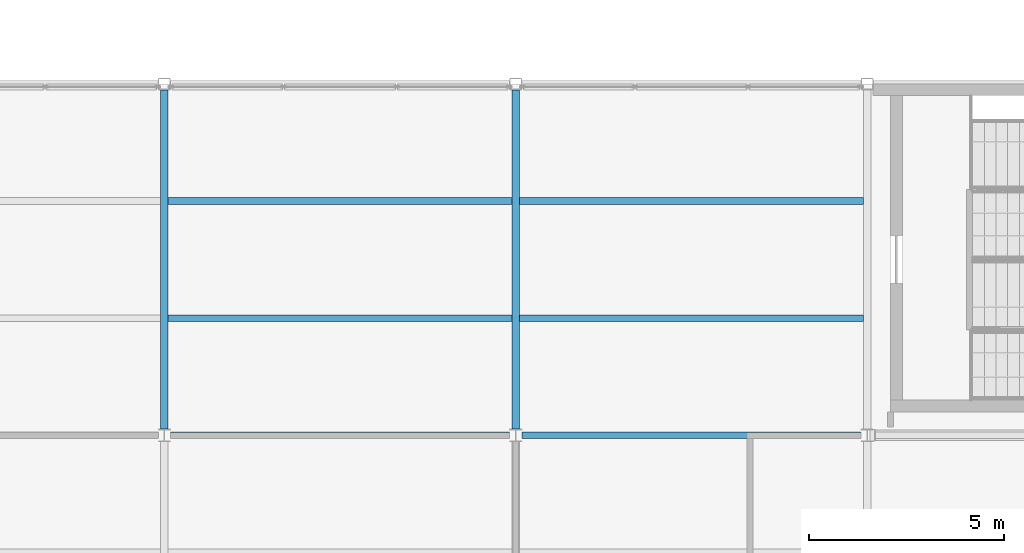
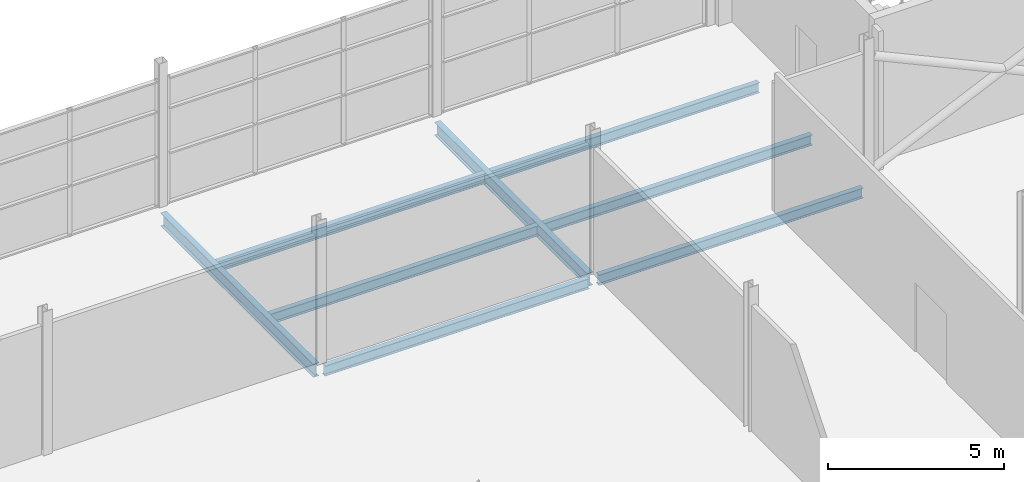
# One storey, part 62 of 112: 8 beams.
"""IFC4 building model written with IfcOpenShell, lengths in metres."""

from ifc_helpers import new_model, si_unit, direction, frame, origin, origin_2d, place, context, subcontext, project, spatial, i_section, extrude, material, material_profile, profile_set, type_object, element, save


model = new_model("IFC4")

# Units and contexts
model_context = context("Model", 3, precision=1e-05, world=origin(), true_north=direction((0.0, 1.0)))
body_context = subcontext(model_context, "Body", "Model", "MODEL_VIEW")
ifc_project = project(units=[si_unit("LENGTHUNIT", "METRE"), si_unit("AREAUNIT", "SQUARE_METRE"), si_unit("VOLUMEUNIT", "CUBIC_METRE"), si_unit("PLANEANGLEUNIT", "RADIAN"), si_unit("MASSUNIT", "GRAM", prefix="KILO")], contexts=[model_context])

# Site, building, storey
site_placement = place(None, origin())
site = spatial("IfcSite", under=ifc_project, at=site_placement, CompositionType="ELEMENT")
building_placement = place(site_placement, origin())
building = spatial("IfcBuilding", under=site, at=building_placement, Name="Shorebreak Coast Museum", CompositionType="ELEMENT")
storey_placement = place(building_placement, frame((0.0, 0.0, 6.0)))
storey = spatial("IfcBuildingStorey", under=building, at=storey_placement, Name="L01", CompositionType="ELEMENT", Elevation=6.0)

# Beams
ifc_material_1 = material(Name="Steel Grade 300", Category="steel")
ifc_material_profile_1 = material_profile(ifc_material_1, i_section(OverallWidth=0.1708984375, OverallDepth=0.355712890625, WebThickness=0.00732421875, FlangeThickness=0.011474609375, FilletRadius=0.011474609375, at=origin_2d()), Name="360UB50.7")
ifc_profile_set_1 = profile_set([ifc_material_profile_1], Name="Steel Grade 300")
beam_type_1 = type_object("IfcBeamType", Name="Floor girder east-west 360UB50.7", PredefinedType="BEAM", material=ifc_profile_set_1)
for number, where, z_axis, x_axis, name in (
    (1, (144.154541015625, 81.0, -0.352783203125), (1.0, 0.0, 0.0), (0.0, 1.0, 0.0), "Floor girder east-west L01 17K"),
    (2, (153.154541015625, 81.0, -0.352783203125), (1.0, 0.0, 0.0), (0.0, 1.0, 0.0), "Floor girder east-west L01 18K"),
):
    element("IfcBeam", number, at=place(storey_placement, frame(where, z_axis=z_axis, x_axis=x_axis)), inside=storey, type_object=beam_type_1, Name=name, PredefinedType="BEAM", context=body_context, shape_type="SweptSolid", body=[
        extrude(i_section(OverallWidth=0.1708984375, OverallDepth=0.355712890625, WebThickness=0.00732421875, FlangeThickness=0.011474609375, FilletRadius=0.011474609375, at=origin_2d()), origin(), (0.0, 0.0, 1.0), 8.69091796875),
    ])
ifc_material_2 = material(Name="Steel Grade 300", Category="steel")
ifc_material_profile_2 = material_profile(ifc_material_2, i_section(OverallWidth=0.19091796875, OverallDepth=0.46044921875, WebThickness=0.010009765625, FlangeThickness=0.01611328125, FilletRadius=0.011474609375, at=origin_2d()), Name="460UB82.1")
ifc_profile_set_2 = profile_set([ifc_material_profile_2], Name="Steel Grade 300")
beam_type_2 = type_object("IfcBeamType", Name="Floor girder north-south 460UB82.1", PredefinedType="BEAM", material=ifc_profile_set_2)
for number, where, z_axis, x_axis, name in (
    (3, (144.0, 81.160400390625, -0.4052734375), (0.0, 1.0, 0.0), (-1.0, 0.0, 0.0), "Floor girder north-south L01 17K"),
    (4, (153.0, 81.160400390625, -0.4052734375), (0.0, 1.0, 0.0), (-1.0, 0.0, 0.0), "Floor girder north-south L01 18K"),
):
    element("IfcBeam", number, at=place(storey_placement, frame(where, z_axis=z_axis, x_axis=x_axis)), inside=storey, type_object=beam_type_2, Name=name, PredefinedType="BEAM", context=body_context, shape_type="SweptSolid", body=[
        extrude(i_section(OverallWidth=0.19091796875, OverallDepth=0.46044921875, WebThickness=0.010009765625, FlangeThickness=0.01611328125, FilletRadius=0.011474609375, at=origin_2d()), origin(), (0.0, 0.0, 1.0), 8.689697265625),
    ])
ifc_material_3 = material(Name="Steel Grade 300", Category="steel")
ifc_material_profile_3 = material_profile(ifc_material_3, i_section(OverallWidth=0.1708984375, OverallDepth=0.355712890625, WebThickness=0.00732421875, FlangeThickness=0.011474609375, FilletRadius=0.011474609375, at=origin_2d()), Name="360UB50.7")
ifc_profile_set_3 = profile_set([ifc_material_profile_3], Name="Steel Grade 300")
beam_type_3 = type_object("IfcBeamType", Name="Floor joist 360UB50.7", PredefinedType="JOIST", material=ifc_profile_set_3)
for number, where, z_axis, x_axis, name in (
    (5, (144.095458984375, 84.0, -0.352783203125), (1.0, 0.0, 0.0), (0.0, 1.0, 0.0), "Floor joist L01 bay 17K at 3000 mm"),
    (6, (144.095458984375, 87.0, -0.352783203125), (1.0, 0.0, 0.0), (0.0, 1.0, 0.0), "Floor joist L01 bay 17K at 6000 mm"),
    (7, (153.095458984375, 84.0, -0.352783203125), (1.0, 0.0, 0.0), (0.0, 1.0, 0.0), "Floor joist L01 bay 18K at 3000 mm"),
    (8, (153.095458984375, 87.0, -0.352783203125), (1.0, 0.0, 0.0), (0.0, 1.0, 0.0), "Floor joist L01 bay 18K at 6000 mm"),
):
    element("IfcBeam", number, at=place(storey_placement, frame(where, z_axis=z_axis, x_axis=x_axis)), inside=storey, type_object=beam_type_3, Name=name, PredefinedType="JOIST", context=body_context, shape_type="SweptSolid", body=[
        extrude(i_section(OverallWidth=0.1708984375, OverallDepth=0.355712890625, WebThickness=0.00732421875, FlangeThickness=0.011474609375, FilletRadius=0.011474609375, at=origin_2d()), origin(), (0.0, 0.0, 1.0), 8.80908203125),
    ])

save(model, "model.ifc")
